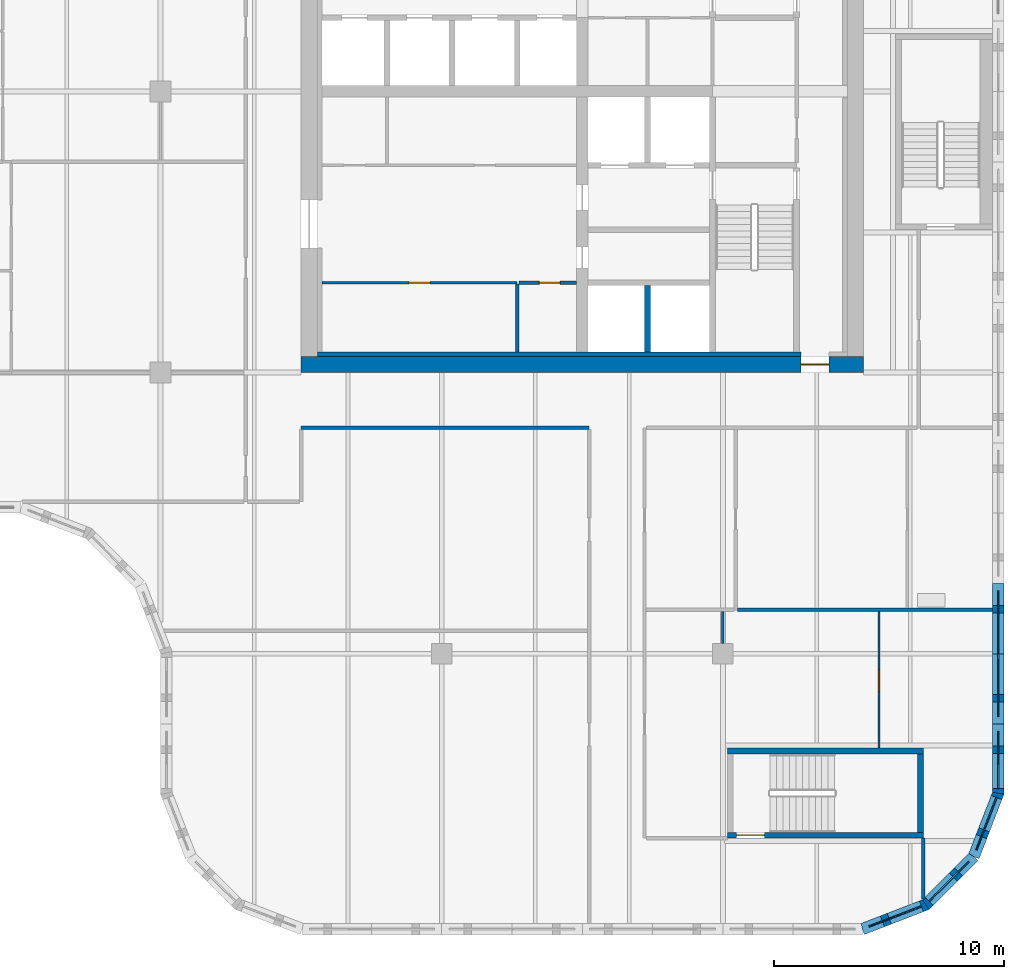
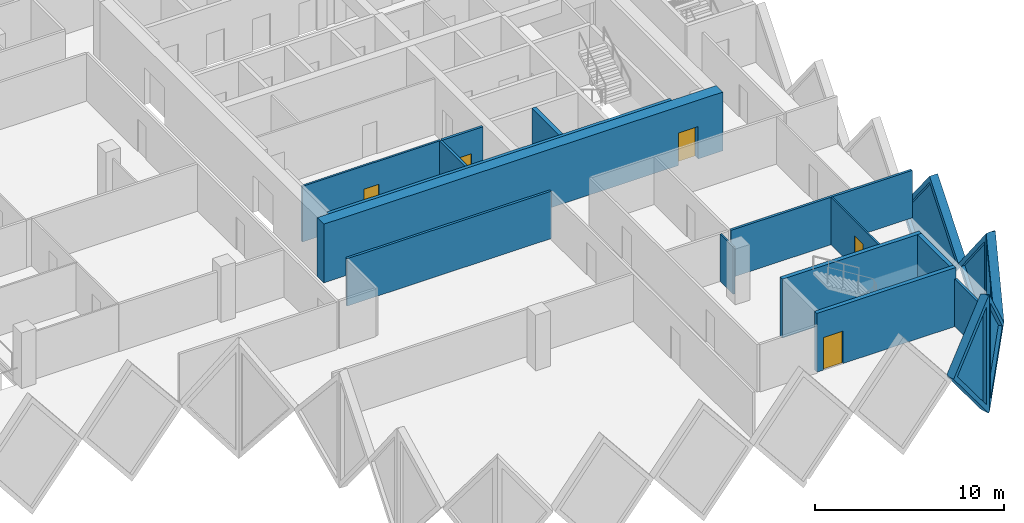
# One storey, part 5 of 13: 19 walls, 5 doors, 5 plates, 10 openings.
"""IFC4 building model written with IfcOpenShell, lengths in metres."""

from ifc_helpers import new_model, si_unit, direction, frame, frame_2d, origin, place, context, subcontext, project, spatial, polyline, rectangle, outline, extrude, faceted_brep, source, transform, mapped, material, layer, layer_set, type_object, element, fill, save


model = new_model("IFC4")

# Units and contexts
model_context = context("Model", 3, precision=1e-05, world=origin(), true_north=direction((0.0, 1.0)))
body_context = subcontext(model_context, "Body", "Model", "MODEL_VIEW")
ifc_project = project(units=[si_unit("LENGTHUNIT", "METRE"), si_unit("AREAUNIT", "SQUARE_METRE"), si_unit("VOLUMEUNIT", "CUBIC_METRE"), si_unit("PLANEANGLEUNIT", "RADIAN"), si_unit("MASSUNIT", "GRAM", prefix="KILO")], contexts=[model_context])

# Site, building, storey
site_placement = place(None, origin())
site = spatial("IfcSite", under=ifc_project, at=site_placement, CompositionType="ELEMENT")
building_placement = place(site_placement, origin())
building = spatial("IfcBuilding", under=site, at=building_placement, Name="Tessera Gate Towers", CompositionType="ELEMENT")
storey_placement = place(building_placement, frame((0.0, 0.0, 131.60009765625)))
storey = spatial("IfcBuildingStorey", under=building, at=storey_placement, Name="L32", CompositionType="ELEMENT", Elevation=131.60009765625)

# Wall
ifc_material_1 = material(Name="Concrete C40/50", Category="concrete")
ifc_layer_1 = layer(ifc_material_1, 0.25)
ifc_layer_set_1 = layer_set([ifc_layer_1], Name="CORE ENCLOSURE WALL 250")
wall_type_1 = type_object("IfcWallType", Name="CORE ENCLOSURE WALL 250", PredefinedType="SOLIDWALL", material=ifc_layer_set_1)
wall_1_placement = place(storey_placement, frame((45.52490234375, 25.300048828125, 0.0), z_axis=(0.0, 0.0, 1.0), x_axis=(0.0, 1.0, 0.0)))
element("IfcWall", 1, at=wall_1_placement, inside=storey, type_object=wall_type_1, Name="L32 shaft and stair enclosure wall", PredefinedType="SOLIDWALL", context=body_context, shape_type="SweptSolid", body=[
    extrude(rectangle(XDim=2.875, YDim=0.25, at=frame_2d((1.4375, 0.0))), origin(), (0.0, 0.0, 1.0), 3.7998046875),
])

# Wall, opening, door
wall_2_placement = place(storey_placement, frame((57.5, 4.324951171875, 0.0), z_axis=(0.0, 0.0, 1.0), x_axis=(-1.0, 0.0, 0.0)))
wall_2 = element("IfcWall", 2, at=wall_2_placement, inside=storey, type_object=wall_type_1, Name="L32 ST4 enclosure wall", PredefinedType="SOLIDWALL", context=body_context, shape_type="SweptSolid", body=[
    extrude(rectangle(XDim=8.5, YDim=0.25, at=frame_2d((4.25, 0.0))), origin(), (0.0, 0.0, 1.0), 3.7998046875),
])
shared_shape_1 = source(origin(), body_context, "Body", "SweptSolid", [
    extrude(rectangle(XDim=1.199951171875, YDim=2.10009765625, at=frame_2d((0.60009765625, 1.050048828125))), frame((0.0, 0.135009765625, 0.0), z_axis=(0.0, -1.0, 0.0), x_axis=(1.0, 0.0, 0.0)), (0.0, 0.0, 1.0), 0.27001953125),
])
opening_1_placement = place(wall_2_placement, frame((6.89990234375, 0.0, 0.0)))
opening_1 = element("IfcOpeningElement", 3, at=opening_1_placement, cuts=wall_2, Name="Opening SD-ST4-1", PredefinedType="OPENING", context=body_context, shape_type="MappedRepresentation", body=[
    mapped(shared_shape_1, transform((0.0, 0.0, 0.0), scale=1.0)),
])
ifc_material_2 = material(Name="Hollow steel fire door", Category="steel")
door_type_1 = type_object("IfcDoorType", Name="CORE DOOR SD 1200x2100", OperationType="NOTDEFINED", PredefinedType="DOOR", material=ifc_material_2)
shared_shape_2 = source(origin(), body_context, "Body", "SweptSolid", [
    extrude(rectangle(XDim=1.199951171875, YDim=2.10009765625, at=frame_2d((0.60009765625, 1.050048828125))), frame((0.0, 0.02490234375, 0.0), z_axis=(0.0, -1.0, 0.0), x_axis=(1.0, 0.0, 0.0)), (0.0, 0.0, 1.0), 0.050048828125),
])
door_1_placement = place(opening_1_placement, origin())
door_1 = element("IfcDoor", 4, at=door_1_placement, inside=storey, type_object=door_type_1, Name="Stair door", OperationType="SINGLE_SWING_RIGHT", OverallHeight=2.10009765625, OverallWidth=1.199951171875, PredefinedType="DOOR", context=body_context, shape_type="MappedRepresentation", body=[
    mapped(shared_shape_2, transform((0.0, 0.0, 0.0), scale=1.0)),
])
fill(opening_1, door_1)

# Walls
wall_3_placement = place(storey_placement, frame((49.0, 7.97509765625, 0.0), z_axis=(0.0, 0.0, 1.0), x_axis=(1.0, 0.0, 0.0)))
element("IfcWall", 5, at=wall_3_placement, inside=storey, type_object=wall_type_1, Name="L32 ST4 enclosure wall", PredefinedType="SOLIDWALL", context=body_context, shape_type="SweptSolid", body=[
    extrude(rectangle(XDim=8.5, YDim=0.25, at=frame_2d((4.25, 0.0))), origin(), (0.0, 0.0, 1.0), 3.7998046875),
])
wall_4_placement = place(storey_placement, frame((57.375, 7.85009765625, 0.0), z_axis=(0.0, 0.0, 1.0), x_axis=(0.0, -1.0, 0.0)))
element("IfcWall", 6, at=wall_4_placement, inside=storey, type_object=wall_type_1, Name="L32 ST4 enclosure wall", PredefinedType="SOLIDWALL", context=body_context, shape_type="SweptSolid", body=[
    extrude(rectangle(XDim=3.400146484375, YDim=0.25, at=frame_2d((1.7001953125, 0.0))), origin(), (0.0, 0.0, 1.0), 3.7998046875),
])

# Wall, opening, door
ifc_material_3 = material(Name="Gypsum board on steel studs", Category="steel")
ifc_layer_2 = layer(ifc_material_3, 0.1201171875)
ifc_layer_set_2 = layer_set([ifc_layer_2], Name="CORE PARTITION 120")
wall_type_2 = type_object("IfcWallType", Name="CORE PARTITION 120", PredefinedType="PARTITIONING", material=ifc_layer_set_2)
wall_5_placement = place(storey_placement, frame((39.875, 28.300048828125, 0.0), z_axis=(0.0, 0.0, 1.0), x_axis=(-1.0, 0.0, 0.0)))
wall_5 = element("IfcWall", 7, at=wall_5_placement, inside=storey, type_object=wall_type_2, Name="L32 core partition", PredefinedType="PARTITIONING", context=body_context, shape_type="SweptSolid", body=[
    extrude(rectangle(XDim=8.47509765625, YDim=0.1201171875, at=frame_2d((4.237548828125, 0.0))), origin(), (0.0, 0.0, 1.0), 3.599853515625),
])
shared_shape_3 = source(origin(), body_context, "Body", "SweptSolid", [
    extrude(rectangle(XDim=0.89990234375, YDim=2.10009765625, at=frame_2d((0.449951171875, 1.050048828125))), frame((0.0, 0.070068359375, 0.0), z_axis=(0.0, -1.0, 0.0), x_axis=(1.0, 0.0, 0.0)), (0.0, 0.0, 1.0), 0.14013671875),
])
opening_2_placement = place(wall_5_placement, frame((3.78759765625, 0.0, 0.0)))
opening_2 = element("IfcOpeningElement", 8, at=opening_2_placement, cuts=wall_5, Name="Opening RD-T1-22-09", PredefinedType="OPENING", context=body_context, shape_type="MappedRepresentation", body=[
    mapped(shared_shape_3, transform((0.0, 0.0, 0.0), scale=1.0)),
])
ifc_material_4 = material(Name="Hollow steel fire door", Category="steel")
door_type_2 = type_object("IfcDoorType", Name="CORE DOOR RD 900x2100", OperationType="NOTDEFINED", PredefinedType="DOOR", material=ifc_material_4)
shared_shape_4 = source(origin(), body_context, "Body", "SweptSolid", [
    extrude(rectangle(XDim=0.89990234375, YDim=2.10009765625, at=frame_2d((0.449951171875, 1.050048828125))), frame((0.0, 0.02490234375, 0.0), z_axis=(0.0, -1.0, 0.0), x_axis=(1.0, 0.0, 0.0)), (0.0, 0.0, 1.0), 0.050048828125),
])
door_2_placement = place(opening_2_placement, origin())
door_2 = element("IfcDoor", 9, at=door_2_placement, inside=storey, type_object=door_type_2, Name="Core room door", OperationType="SINGLE_SWING_RIGHT", OverallHeight=2.10009765625, OverallWidth=0.89990234375, PredefinedType="DOOR", context=body_context, shape_type="MappedRepresentation", body=[
    mapped(shared_shape_4, transform((0.0, 0.0, 0.0), scale=1.0)),
])
fill(opening_2, door_2)

ifc_material_5 = material(Name="Concrete C60/75", Category="concrete")
ifc_layer_3 = layer(ifc_material_5, 0.699951171875)
ifc_layer_set_3 = layer_set([ifc_layer_3], Name="CORE SHEAR WALL 700 C60/75")
wall_type_3 = type_object("IfcWallType", Name="CORE SHEAR WALL 700 C60/75", PredefinedType="SHEAR", material=ifc_layer_set_3)
wall_6_placement = place(storey_placement, frame((54.89990234375, 24.75, 0.0), z_axis=(0.0, 0.0, 1.0), x_axis=(-1.0, 0.0, 0.0)))
wall_6 = element("IfcWall", 10, at=wall_6_placement, inside=storey, type_object=wall_type_3, Name="Core wall S L32", PredefinedType="SHEAR", context=body_context, shape_type="SweptSolid", body=[
    extrude(rectangle(XDim=24.39990234375, YDim=0.699951171875, at=frame_2d((12.199951171875, 0.0))), origin(), (0.0, 0.0, 1.0), 3.7998046875),
])
shared_shape_5 = source(origin(), body_context, "Body", "SweptSolid", [
    extrude(rectangle(XDim=1.199951171875, YDim=2.10009765625, at=frame_2d((0.60009765625, 1.050048828125))), frame((0.0, 0.35986328125, 0.0), z_axis=(0.0, -1.0, 0.0), x_axis=(1.0, 0.0, 0.0)), (0.0, 0.0, 1.0), 0.719970703125),
])
opening_3_placement = place(wall_6_placement, frame((1.5, 0.0, 0.0)))
opening_3 = element("IfcOpeningElement", 11, at=opening_3_placement, cuts=wall_6, Name="Opening ED-T1-22-01", PredefinedType="OPENING", context=body_context, shape_type="MappedRepresentation", body=[
    mapped(shared_shape_5, transform((0.0, 0.0, 0.0), scale=1.0)),
])
ifc_material_6 = material(Name="Hollow steel fire door", Category="steel")
door_type_3 = type_object("IfcDoorType", Name="CORE DOOR ED 1200x2100", OperationType="NOTDEFINED", PredefinedType="DOOR", material=ifc_material_6)
door_3_placement = place(opening_3_placement, origin())
door_3 = element("IfcDoor", 12, at=door_3_placement, inside=storey, type_object=door_type_3, Name="Core exit door", OperationType="SINGLE_SWING_LEFT", OverallHeight=2.10009765625, OverallWidth=1.199951171875, PredefinedType="DOOR", context=body_context, shape_type="MappedRepresentation", body=[
    mapped(shared_shape_2, transform((0.0, 0.0, 0.0), scale=1.0)),
])
fill(opening_3, door_3)

# Walls
ifc_material_7 = material(Name="Concrete C60/75", Category="concrete")
ifc_layer_4 = layer(ifc_material_7, 0.199951171875)
ifc_layer_set_4 = layer_set([ifc_layer_4], Name="CORE WALL THICKENING 200")
wall_type_4 = type_object("IfcWallType", Name="CORE WALL THICKENING 200", PredefinedType="SOLIDWALL", material=ifc_layer_set_4)
wall_7_placement = place(storey_placement, frame((31.199951171875, 25.199951171875, 0.0), z_axis=(0.0, 0.0, 1.0), x_axis=(1.0, 0.0, 0.0)))
element("IfcWall", 13, at=wall_7_placement, inside=storey, type_object=wall_type_4, Name="Core wall thickening S L32", PredefinedType="SOLIDWALL", context=body_context, shape_type="SweptSolid", body=[
    extrude(rectangle(XDim=21.0, YDim=0.199951171875, at=frame_2d((10.5, 0.0))), origin(), (0.0, 0.0, 1.0), 3.7998046875),
])
ifc_material_8 = material(Name="Gypsum board on steel studs, mineral wool", Category="steel")
ifc_layer_5 = layer(ifc_material_8, 0.14990234375)
ifc_layer_set_5 = layer_set([ifc_layer_5], Name="CORRIDOR WALL 150")
wall_type_5 = type_object("IfcWallType", Name="CORRIDOR WALL 150", PredefinedType="PARTITIONING", material=ifc_layer_set_5)
wall_8_placement = place(storey_placement, frame((57.5, 1.55908203125, 0.0), z_axis=(0.0, 0.0, 1.0), x_axis=(0.0, 1.0, 0.0)))
element("IfcWall", 14, at=wall_8_placement, inside=storey, type_object=wall_type_5, Name="T1-L32-PW-002", PredefinedType="PARTITIONING", context=body_context, shape_type="SweptSolid", body=[
    extrude(rectangle(XDim=2.640869140625, YDim=0.14990234375, at=frame_2d((1.3203125, 0.0))), origin(), (0.0, 0.0, 1.0), 3.06689453125),
])
wall_9_placement = place(storey_placement, frame((30.5, 22.0, 0.0), z_axis=(0.0, 0.0, 1.0), x_axis=(1.0, 0.0, 0.0)))
element("IfcWall", 15, at=wall_9_placement, inside=storey, type_object=wall_type_5, Name="T1-L32-PW-017", PredefinedType="PARTITIONING", context=body_context, shape_type="SweptSolid", body=[
    extrude(rectangle(XDim=12.5, YDim=0.14990234375, at=frame_2d((6.25, 0.0))), origin(), (0.0, 0.0, 1.0), 3.06689453125),
])

# Wall, opening, door
ifc_material_9 = material(Name="Gypsum board on steel studs", Category="steel")
ifc_layer_6 = layer(ifc_material_9, 0.10009765625)
ifc_layer_set_6 = layer_set([ifc_layer_6], Name="PARTITION 100")
wall_type_6 = type_object("IfcWallType", Name="PARTITION 100", PredefinedType="PARTITIONING", material=ifc_layer_set_6)
wall_10_placement = place(storey_placement, frame((55.574951171875, 14.02392578125, 0.0), z_axis=(0.0, 0.0, 1.0), x_axis=(0.0, -1.0, 0.0)))
wall_10 = element("IfcWall", 16, at=wall_10_placement, inside=storey, type_object=wall_type_6, Name="T1-L32-PW-005", PredefinedType="PARTITIONING", context=body_context, shape_type="SweptSolid", body=[
    extrude(rectangle(XDim=5.923828125, YDim=0.10009765625, at=frame_2d((2.9619140625, 0.0))), origin(), (0.0, 0.0, 1.0), 3.06689453125),
])
shared_shape_6 = source(origin(), body_context, "Body", "SweptSolid", [
    extrude(rectangle(XDim=0.89990234375, YDim=2.10009765625, at=frame_2d((0.449951171875, 1.050048828125))), frame((0.0, 0.06005859375, 0.0), z_axis=(0.0, -1.0, 0.0), x_axis=(1.0, 0.0, 0.0)), (0.0, 0.0, 1.0), 0.1201171875),
])
opening_4_placement = place(wall_10_placement, frame((2.52392578125, 0.0, 0.0)))
opening_4 = element("IfcOpeningElement", 17, at=opening_4_placement, cuts=wall_10, Name="Opening D190-A11-02", PredefinedType="OPENING", context=body_context, shape_type="MappedRepresentation", body=[
    mapped(shared_shape_6, transform((0.0, 0.0, 0.0), scale=1.0)),
])
ifc_material_10 = material(Name="Timber door leaf in steel frame", Category="steel")
door_type_4 = type_object("IfcDoorType", Name="INTERNAL DOOR 900 NOT RATED", OperationType="NOTDEFINED", PredefinedType="DOOR", material=ifc_material_10)
door_4_placement = place(opening_4_placement, origin())
door_4 = element("IfcDoor", 18, at=door_4_placement, inside=storey, type_object=door_type_4, Name="T1-L32-PD-009", OperationType="SINGLE_SWING_RIGHT", OverallHeight=2.10009765625, OverallWidth=0.89990234375, PredefinedType="DOOR", context=body_context, shape_type="MappedRepresentation", body=[
    mapped(shared_shape_4, transform((0.0, 0.0, 0.0), scale=1.0)),
])
fill(opening_4, door_4)

# Walls
wall_11_placement = place(storey_placement, frame((48.800048828125, 12.64990234375, 0.0), z_axis=(0.0, 0.0, 1.0), x_axis=(0.0, 1.0, 0.0)))
element("IfcWall", 19, at=wall_11_placement, inside=storey, type_object=wall_type_6, Name="T1-L32-PW-006", PredefinedType="PARTITIONING", context=body_context, shape_type="SweptSolid", body=[
    extrude(rectangle(XDim=1.375, YDim=0.10009765625, at=frame_2d((0.6875, 0.0))), origin(), (0.0, 0.0, 1.0), 3.06689453125),
])
ifc_material_11 = material(Name="Gypsum board on steel studs", Category="steel")
ifc_layer_7 = layer(ifc_material_11, 0.14990234375)
ifc_layer_set_7 = layer_set([ifc_layer_7], Name="SERVICE ROOM WALL 150")
wall_type_7 = type_object("IfcWallType", Name="SERVICE ROOM WALL 150", PredefinedType="PARTITIONING", material=ifc_layer_set_7)
wall_12_placement = place(storey_placement, frame((39.875, 25.300048828125, 0.0), z_axis=(0.0, 0.0, 1.0), x_axis=(0.0, 1.0, 0.0)))
element("IfcWall", 20, at=wall_12_placement, inside=storey, type_object=wall_type_7, Name="L32 service room wall", PredefinedType="PARTITIONING", context=body_context, shape_type="SweptSolid", body=[
    extrude(rectangle(XDim=2.93994140625, YDim=0.14990234375, at=frame_2d((1.469970703125, 0.0))), origin(), (0.0, 0.0, 1.0), 3.599853515625),
])

# Wall, opening, door
wall_13_placement = place(storey_placement, frame((42.449951171875, 28.300048828125, 0.0), z_axis=(0.0, 0.0, 1.0), x_axis=(-1.0, 0.0, 0.0)))
wall_13 = element("IfcWall", 21, at=wall_13_placement, inside=storey, type_object=wall_type_7, Name="L32 service room wall", PredefinedType="PARTITIONING", context=body_context, shape_type="SweptSolid", body=[
    extrude(rectangle(XDim=2.5, YDim=0.14990234375, at=frame_2d((1.25, 0.0))), origin(), (0.0, 0.0, 1.0), 3.599853515625),
])
shared_shape_7 = source(origin(), body_context, "Body", "SweptSolid", [
    extrude(rectangle(XDim=0.89990234375, YDim=2.10009765625, at=frame_2d((0.449951171875, 1.050048828125))), frame((0.0, 0.0849609375, 0.0), z_axis=(0.0, -1.0, 0.0), x_axis=(1.0, 0.0, 0.0)), (0.0, 0.0, 1.0), 0.169921875),
])
opening_5_placement = place(wall_13_placement, frame((0.71240234375, 0.0, 0.0)))
opening_5 = element("IfcOpeningElement", 22, at=opening_5_placement, cuts=wall_13, Name="Opening RD-T1-22-15", PredefinedType="OPENING", context=body_context, shape_type="MappedRepresentation", body=[
    mapped(shared_shape_7, transform((0.0, 0.0, 0.0), scale=1.0)),
])
door_5_placement = place(opening_5_placement, origin())
door_5 = element("IfcDoor", 23, at=door_5_placement, inside=storey, type_object=door_type_2, Name="Core room door", OperationType="SINGLE_SWING_LEFT", OverallHeight=2.10009765625, OverallWidth=0.89990234375, PredefinedType="DOOR", context=body_context, shape_type="MappedRepresentation", body=[
    mapped(shared_shape_4, transform((0.0, 0.0, 0.0), scale=1.0)),
])
fill(opening_5, door_5)

# Wall
ifc_material_12 = material(Name="Gypsum board on steel studs, mineral wool", Category="steel")
ifc_layer_8 = layer(ifc_material_12, 0.14990234375)
ifc_layer_set_8 = layer_set([ifc_layer_8], Name="TENANCY WALL 150")
wall_type_8 = type_object("IfcWallType", Name="TENANCY WALL 150", PredefinedType="PARTITIONING", material=ifc_layer_set_8)
wall_14_placement = place(storey_placement, frame((49.426025390625, 14.10009765625, 0.0), z_axis=(0.0, 0.0, 1.0), x_axis=(1.0, 0.0, 0.0)))
element("IfcWall", 24, at=wall_14_placement, inside=storey, type_object=wall_type_8, Name="T1-L32-PW-010", PredefinedType="PARTITIONING", context=body_context, shape_type="SweptSolid", body=[
    extrude(rectangle(XDim=11.073974609375, YDim=0.14990234375, at=frame_2d((5.537109375, 0.0))), origin(), (0.0, 0.0, 1.0), 3.06689453125),
])

# Wall, opening, plate
ifc_material_13 = material(Name="Precast concrete C60/75 white", Category="concrete")
ifc_layer_9 = layer(ifc_material_13, 0.5)
ifc_layer_set_9 = layer_set([ifc_layer_9], Name="TS1 tessera")
wall_type_9 = type_object("IfcWallType", Name="TS1 tessera", PredefinedType="SOLIDWALL", material=ifc_layer_set_9)
shared_shape_8 = source(origin(), body_context, "Body", "SweptSolid", [
    extrude(outline(polyline([(3.050048828125, 0.0), (6.10009765625, 3.800048828125), (3.050048828125, 7.599853515625), (0.0, 3.800048828125), (3.050048828125, 0.0)])), frame((0.0, 0.25, 0.0), z_axis=(0.0, -1.0, 0.0), x_axis=(1.0, 0.0, 0.0)), (0.0, 0.0, 1.0), 0.5),
])
wall_15_placement = place(storey_placement, frame((60.75, 9.14990234375, -3.800048828125), z_axis=(0.0, 0.0, 1.0), x_axis=(0.0, 1.0, 0.0)))
wall_15 = element("IfcWall", 25, at=wall_15_placement, inside=storey, type_object=wall_type_9, Name="Precast tessera T1 TS1-0533", PredefinedType="SOLIDWALL", context=body_context, shape_type="MappedRepresentation", body=[
    mapped(shared_shape_8, transform((0.0, 0.0, 0.0), scale=1.0)),
])
shared_shape_9 = source(origin(), body_context, "Body", "SweptSolid", [
    extrude(outline(polyline([(3.050048828125, 0.3994140625), (5.779541015625, 3.800048828125), (3.050048828125, 7.200439453125), (0.320556640625, 3.800048828125), (3.050048828125, 0.3994140625)])), frame((0.0, 0.260009765625, 0.0), z_axis=(0.0, -1.0, 0.0), x_axis=(1.0, 0.0, 0.0)), (0.0, 0.0, 1.0), 0.52001953125),
])
opening_6_placement = place(wall_15_placement, origin())
opening_6 = element("IfcOpeningElement", 26, at=opening_6_placement, cuts=wall_15, Name="Opening T1-PL2-1089", PredefinedType="OPENING", context=body_context, shape_type="MappedRepresentation", body=[
    mapped(shared_shape_9, transform((0.0, 0.0, 0.0), scale=1.0)),
])
ifc_material_14 = material(Name="Low-e laminated glass", Category="glass")
ifc_layer_10 = layer(ifc_material_14, 0.06005859375)
ifc_layer_set_10 = layer_set([ifc_layer_10], Name="PL2 rhombic pane")
plate_type = type_object("IfcPlateType", Name="PL2 rhombic pane", PredefinedType="SHEET", material=ifc_layer_set_10)
shared_shape_10 = source(origin(), body_context, "Body", "SweptSolid", [
    extrude(outline(polyline([(3.050048828125, 0.3994140625), (5.779541015625, 3.800048828125), (3.050048828125, 7.200439453125), (0.320556640625, 3.800048828125), (3.050048828125, 0.3994140625)])), frame((0.0, 0.030029296875, 0.0), z_axis=(0.0, -1.0, 0.0), x_axis=(1.0, 0.0, 0.0)), (0.0, 0.0, 1.0), 0.06005859375),
])
plate_1_placement = place(opening_6_placement, origin())
plate_1 = element("IfcPlate", 27, at=plate_1_placement, inside=storey, type_object=plate_type, Name="Glass pane T1 PL2-1089", PredefinedType="SHEET", context=body_context, shape_type="MappedRepresentation", body=[
    mapped(shared_shape_10, transform((0.0, 0.0, 0.0), scale=1.0)),
])
fill(opening_6, plate_1)

ifc_material_15 = material(Name="Precast concrete C60/75 white", Category="concrete")
ifc_layer_11 = layer(ifc_material_15, 0.5)
ifc_layer_set_11 = layer_set([ifc_layer_11], Name="TS3 corner tessera")
wall_type_10 = type_object("IfcWallType", Name="TS3 corner tessera", PredefinedType="SOLIDWALL", material=ifc_layer_set_11)
shared_shape_11 = source(origin(), body_context, "Body", "Brep", [
    faceted_brep([(2.950439453125, -0.25, 0.0), (3.00341796875, -0.25, 0.068359375), (3.00341796875, -0.25, 7.531494140625), (2.950439453125, -0.25, 7.599853515625), (0.0, -0.25, 3.800048828125), (0.046630859375, 0.25, 3.860107421875), (2.897705078125, 0.25, 7.53173828125), (2.897705078125, 0.25, 0.068115234375), (0.046630859375, 0.25, 3.739990234375), (2.950439453125, 0.00048828125, 0.0), (2.950439453125, 0.00048828125, 7.599853515625), (0.0, 0.0, 3.800048828125)], [[[0, 1, 2, 3, 4]], [[5, 6, 7, 8]], [[1, 0, 9]], [[10, 3, 2]], [[6, 5, 11, 4, 3, 10]], [[8, 7, 9, 0, 4, 11]], [[8, 11, 5]], [[1, 9, 7, 6, 10, 2]]]),
])
wall_16_placement = place(storey_placement, frame((54.853515625, 0.25, -3.800048828125), z_axis=(0.0, 0.0, 1.0), x_axis=(0.932970071518, 0.359953949349, 0.0)))
wall_16 = element("IfcWall", 28, at=wall_16_placement, inside=storey, type_object=wall_type_10, Name="Precast corner tessera T1 TS3-0721", PredefinedType="SOLIDWALL", context=body_context, shape_type="MappedRepresentation", body=[
    mapped(shared_shape_11, transform((0.0, 0.0, 0.0), scale=1.0)),
])
shared_shape_12 = source(origin(), body_context, "Body", "SweptSolid", [
    extrude(outline(polyline([(2.75048828125, 6.934814453125), (0.31640625, 3.800048828125), (2.75048828125, 0.665283203125), (2.75048828125, 6.934814453125)])), frame((0.0, 0.260009765625, 0.0), z_axis=(0.0, -1.0, 0.0), x_axis=(1.0, 0.0, 0.0)), (0.0, 0.0, 1.0), 0.52001953125),
])
opening_7_placement = place(wall_16_placement, origin())
opening_7 = element("IfcOpeningElement", 29, at=opening_7_placement, cuts=wall_16, Name="Opening T1-PL2-1085", PredefinedType="OPENING", context=body_context, shape_type="MappedRepresentation", body=[
    mapped(shared_shape_12, transform((0.0, 0.0, 0.0), scale=1.0)),
])
shared_shape_13 = source(origin(), body_context, "Body", "SweptSolid", [
    extrude(outline(polyline([(2.75048828125, 6.934814453125), (0.31640625, 3.800048828125), (2.75048828125, 0.665283203125), (2.75048828125, 6.934814453125)])), frame((0.0, 0.030029296875, 0.0), z_axis=(0.0, -1.0, 0.0), x_axis=(1.0, 0.0, 0.0)), (0.0, 0.0, 1.0), 0.06005859375),
])
plate_2_placement = place(opening_7_placement, origin())
plate_2 = element("IfcPlate", 30, at=plate_2_placement, inside=storey, type_object=plate_type, Name="Glass pane T1 PL2-1085", PredefinedType="SHEET", context=body_context, shape_type="MappedRepresentation", body=[
    mapped(shared_shape_13, transform((0.0, 0.0, 0.0), scale=1.0)),
])
fill(opening_7, plate_2)

shared_shape_14 = source(origin(), body_context, "Body", "Brep", [
    faceted_brep([(0.052978515625, -0.25, 0.0), (2.9970703125, -0.25, 3.800048828125), (0.052978515625, -0.25, 7.599853515625), (0.0, -0.25, 7.53173828125), (0.0, -0.25, 0.068115234375), (0.10595703125, 0.25, 7.531494140625), (2.944091796875, 0.25, 3.8681640625), (2.944091796875, 0.25, 3.73193359375), (0.10595703125, 0.25, 0.068359375), (2.9970703125, 0.000244140625, 3.800048828125), (0.052978515625, 0.0, 0.0), (0.052978515625, 0.0, 7.599853515625)], [[[0, 1, 2, 3, 4]], [[5, 6, 7, 8]], [[8, 7, 9, 1, 0, 10]], [[6, 5, 11, 2, 1, 9]], [[3, 2, 11]], [[10, 0, 4]], [[8, 10, 4, 3, 11, 5]], [[7, 6, 9]]]),
])
wall_17_placement = place(storey_placement, frame((57.56884765625, 1.2744140625, -3.800048828125), z_axis=(0.0, 0.0, 1.0), x_axis=(0.707066050402, 0.707147509625, 0.0)))
wall_17 = element("IfcWall", 31, at=wall_17_placement, inside=storey, type_object=wall_type_10, Name="Precast corner tessera T1 TS3-0722", PredefinedType="SOLIDWALL", context=body_context, shape_type="MappedRepresentation", body=[
    mapped(shared_shape_14, transform((0.0, 0.0, 0.0), scale=1.0)),
])
shared_shape_15 = source(origin(), body_context, "Body", "SweptSolid", [
    extrude(outline(polyline([(0.2529296875, 0.666259765625), (2.680908203125, 3.800048828125), (0.2529296875, 6.93359375), (0.2529296875, 0.666259765625)])), frame((0.0, 0.260009765625, 0.0), z_axis=(0.0, -1.0, 0.0), x_axis=(1.0, 0.0, 0.0)), (0.0, 0.0, 1.0), 0.52001953125),
])
opening_8_placement = place(wall_17_placement, origin())
opening_8 = element("IfcOpeningElement", 32, at=opening_8_placement, cuts=wall_17, Name="Opening T1-PL2-1086", PredefinedType="OPENING", context=body_context, shape_type="MappedRepresentation", body=[
    mapped(shared_shape_15, transform((0.0, 0.0, 0.0), scale=1.0)),
])
shared_shape_16 = source(origin(), body_context, "Body", "SweptSolid", [
    extrude(outline(polyline([(0.2529296875, 0.666259765625), (2.680908203125, 3.800048828125), (0.2529296875, 6.93359375), (0.2529296875, 0.666259765625)])), frame((0.0, 0.030029296875, 0.0), z_axis=(0.0, -1.0, 0.0), x_axis=(1.0, 0.0, 0.0)), (0.0, 0.0, 1.0), 0.06005859375),
])
plate_3_placement = place(opening_8_placement, origin())
plate_3 = element("IfcPlate", 33, at=plate_3_placement, inside=storey, type_object=plate_type, Name="Glass pane T1 PL2-1086", PredefinedType="SHEET", context=body_context, shape_type="MappedRepresentation", body=[
    mapped(shared_shape_16, transform((0.0, 0.0, 0.0), scale=1.0)),
])
fill(opening_8, plate_3)

shared_shape_17 = source(origin(), body_context, "Body", "Brep", [
    faceted_brep([(2.950439453125, -0.25, 0.0), (2.9970703125, -0.25, 0.05908203125), (2.9970703125, -0.25, 7.540771484375), (2.950439453125, -0.25, 7.599853515625), (0.0, -0.25, 3.800048828125), (0.052978515625, 0.25, 3.8681640625), (2.904052734375, 0.25, 7.5400390625), (2.904052734375, 0.25, 0.059814453125), (0.052978515625, 0.25, 3.73193359375), (2.950439453125, 0.00048828125, 0.0), (2.950439453125, 0.00048828125, 7.599853515625), (0.0, 0.0, 3.800048828125)], [[[0, 1, 2, 3, 4]], [[5, 6, 7, 8]], [[1, 0, 9]], [[10, 3, 2]], [[6, 5, 11, 4, 3, 10]], [[8, 7, 9, 0, 4, 11]], [[8, 11, 5]], [[1, 9, 7, 6, 10, 2]]]),
])
wall_18_placement = place(storey_placement, frame((59.68798828125, 3.393798828125, -3.800048828125), z_axis=(0.0, 0.0, 1.0), x_axis=(0.359972353723, 0.932962970624, 0.0)))
wall_18 = element("IfcWall", 34, at=wall_18_placement, inside=storey, type_object=wall_type_10, Name="Precast corner tessera T1 TS3-0723", PredefinedType="SOLIDWALL", context=body_context, shape_type="MappedRepresentation", body=[
    mapped(shared_shape_17, transform((0.0, 0.0, 0.0), scale=1.0)),
])
opening_9_placement = place(wall_18_placement, origin())
opening_9 = element("IfcOpeningElement", 35, at=opening_9_placement, cuts=wall_18, Name="Opening T1-PL2-1087", PredefinedType="OPENING", context=body_context, shape_type="MappedRepresentation", body=[
    mapped(shared_shape_12, transform((0.0, 0.0, 0.0), scale=1.0)),
])
plate_4_placement = place(opening_9_placement, origin())
plate_4 = element("IfcPlate", 36, at=plate_4_placement, inside=storey, type_object=plate_type, Name="Glass pane T1 PL2-1087", PredefinedType="SHEET", context=body_context, shape_type="MappedRepresentation", body=[
    mapped(shared_shape_13, transform((0.0, 0.0, 0.0), scale=1.0)),
])
fill(opening_9, plate_4)

shared_shape_18 = source(origin(), body_context, "Body", "Brep", [
    faceted_brep([(0.046630859375, -0.25, 0.0), (3.050048828125, -0.25, 3.800048828125), (0.046630859375, -0.25, 7.599853515625), (0.0, -0.25, 7.539794921875), (0.0, -0.25, 0.06005859375), (0.09326171875, 0.25, 7.541015625), (3.050048828125, 0.25, 3.800048828125), (0.09326171875, 0.25, 0.058837890625), (0.046630859375, 0.0, 0.0), (0.046630859375, 0.0, 7.599853515625)], [[[0, 1, 2, 3, 4]], [[5, 6, 7]], [[7, 6, 1, 0, 8]], [[6, 5, 9, 2, 1]], [[3, 2, 9]], [[8, 0, 4]], [[7, 8, 4, 3, 9, 5]]]),
])
wall_19_placement = place(storey_placement, frame((60.75, 6.099853515625, -3.800048828125), z_axis=(0.0, 0.0, 1.0), x_axis=(0.0, 1.0, 0.0)))
wall_19 = element("IfcWall", 37, at=wall_19_placement, inside=storey, type_object=wall_type_10, Name="Precast corner tessera T1 TS3-0724", PredefinedType="SOLIDWALL", context=body_context, shape_type="MappedRepresentation", body=[
    mapped(shared_shape_18, transform((0.0, 0.0, 0.0), scale=1.0)),
])
shared_shape_19 = source(origin(), body_context, "Body", "SweptSolid", [
    extrude(outline(polyline([(0.24658203125, 0.65625), (2.7314453125, 3.800048828125), (0.24658203125, 6.94384765625), (0.24658203125, 0.65625)])), frame((0.0, 0.260009765625, 0.0), z_axis=(0.0, -1.0, 0.0), x_axis=(1.0, 0.0, 0.0)), (0.0, 0.0, 1.0), 0.52001953125),
])
opening_10_placement = place(wall_19_placement, origin())
opening_10 = element("IfcOpeningElement", 38, at=opening_10_placement, cuts=wall_19, Name="Opening T1-PL2-1088", PredefinedType="OPENING", context=body_context, shape_type="MappedRepresentation", body=[
    mapped(shared_shape_19, transform((0.0, 0.0, 0.0), scale=1.0)),
])
shared_shape_20 = source(origin(), body_context, "Body", "SweptSolid", [
    extrude(outline(polyline([(0.24658203125, 0.65625), (2.7314453125, 3.800048828125), (0.24658203125, 6.94384765625), (0.24658203125, 0.65625)])), frame((0.0, 0.030029296875, 0.0), z_axis=(0.0, -1.0, 0.0), x_axis=(1.0, 0.0, 0.0)), (0.0, 0.0, 1.0), 0.06005859375),
])
plate_5_placement = place(opening_10_placement, origin())
plate_5 = element("IfcPlate", 39, at=plate_5_placement, inside=storey, type_object=plate_type, Name="Glass pane T1 PL2-1088", PredefinedType="SHEET", context=body_context, shape_type="MappedRepresentation", body=[
    mapped(shared_shape_20, transform((0.0, 0.0, 0.0), scale=1.0)),
])
fill(opening_10, plate_5)

save(model, "model.ifc")
